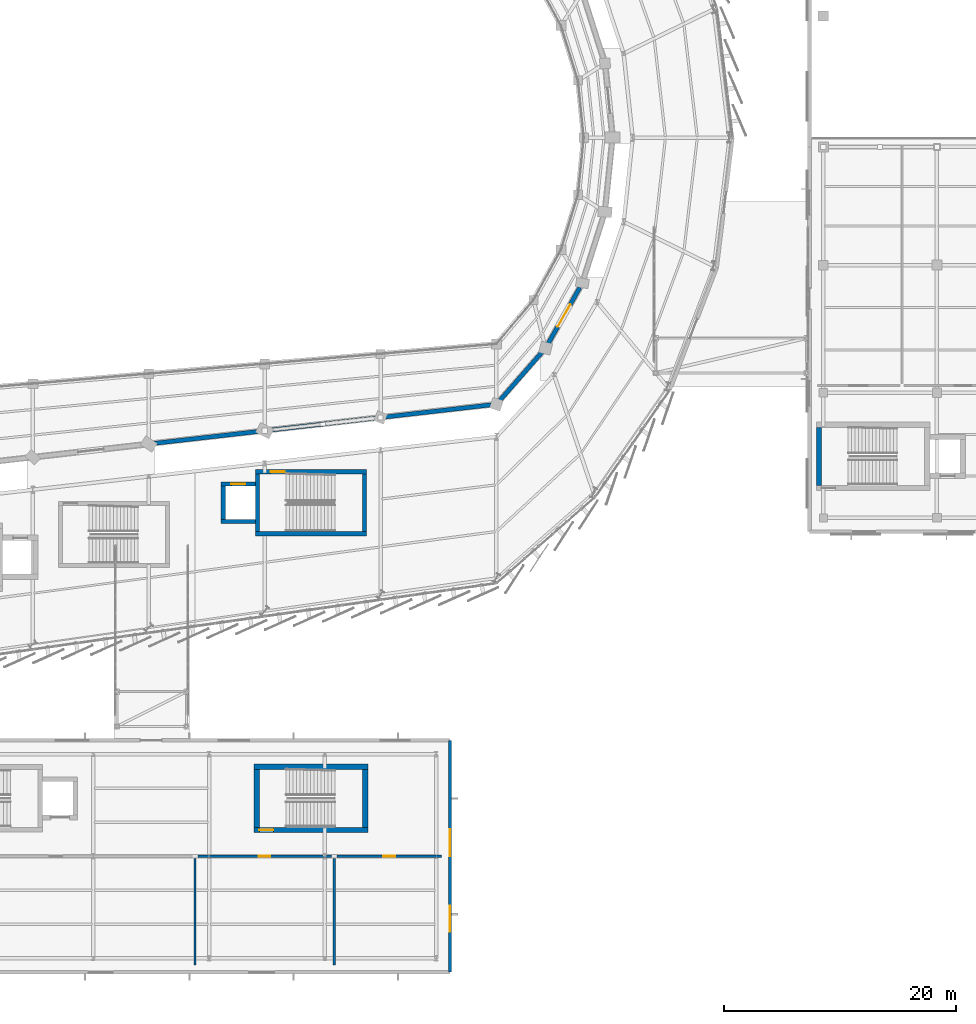
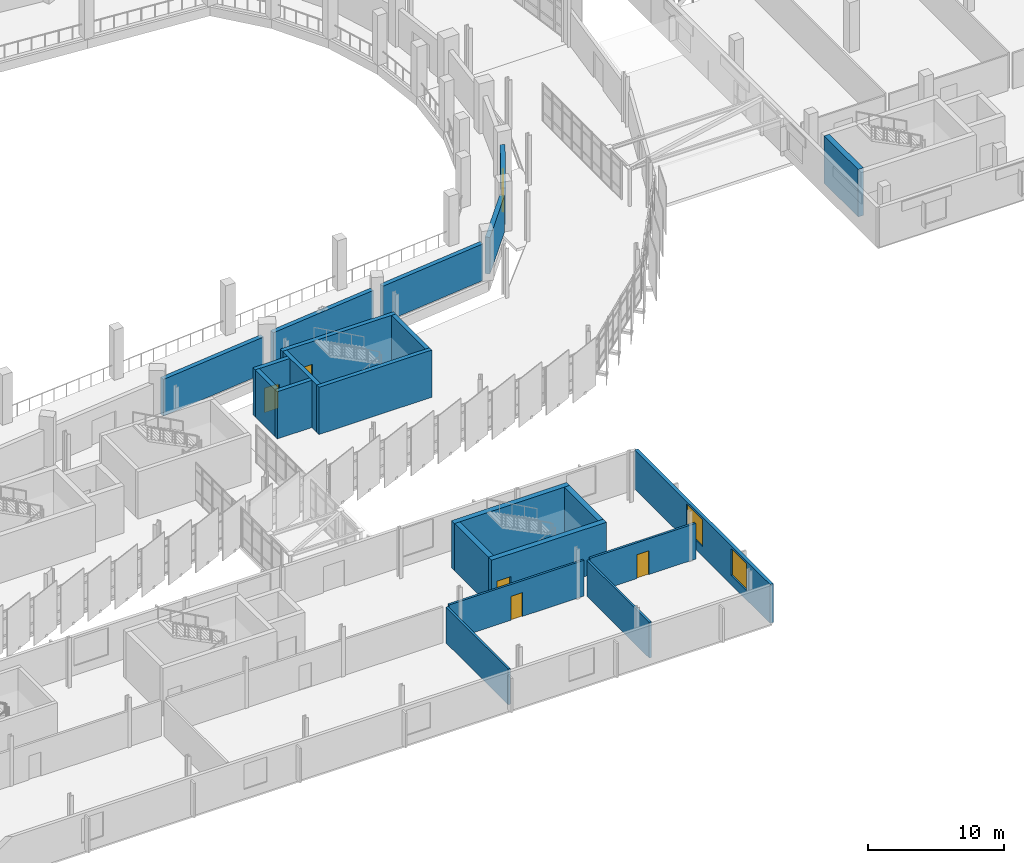
# One storey, part 107 of 125: 22 walls, 6 doors, 2 windows, 8 openings.
"""IFC4 building model written with IfcOpenShell, lengths in metres."""

from ifc_helpers import new_model, si_unit, direction, frame, frame_2d, origin, place, context, subcontext, project, spatial, rectangle, extrude, material, layer, layer_set, type_object, element, fill, save


model = new_model("IFC4")

# Units and contexts
model_context = context("Model", 3, precision=1e-05, world=origin(), true_north=direction((0.0, 1.0)))
body_context = subcontext(model_context, "Body", "Model", "MODEL_VIEW")
ifc_project = project(units=[si_unit("LENGTHUNIT", "METRE"), si_unit("AREAUNIT", "SQUARE_METRE"), si_unit("VOLUMEUNIT", "CUBIC_METRE"), si_unit("PLANEANGLEUNIT", "RADIAN"), si_unit("MASSUNIT", "GRAM", prefix="KILO")], contexts=[model_context])

# Site, building, storey
site_placement = place(None, origin())
site = spatial("IfcSite", under=ifc_project, at=site_placement, CompositionType="ELEMENT")
building_placement = place(site_placement, origin())
building = spatial("IfcBuilding", under=site, at=building_placement, Name="Sohan Crest Arena", CompositionType="ELEMENT")
storey_placement = place(building_placement, frame((0.0, 0.0, 9.0)))
storey = spatial("IfcBuildingStorey", under=building, at=storey_placement, Name="L02", CompositionType="ELEMENT", Elevation=9.0)

# Wall, openings, windows
ifc_material_1 = material(Name="Clinker brick and ceramic mosaic envelope wall", Category="masonry")
ifc_layer_1 = layer(ifc_material_1, 0.280029296875, Name="Clinker brick and ceramic mosaic envelope wall")
ifc_layer_set_1 = layer_set([ifc_layer_1], Name="Clinker brick and ceramic mosaic envelope wall")
wall_type_1 = type_object("IfcWallType", Name="WAL-EW02", PredefinedType="SOLIDWALL", material=ifc_layer_set_1)
wall_1_placement = place(storey_placement, frame((164.0, 6.0, 0.0), z_axis=(0.0, 0.0, 1.0), x_axis=(0.0, 1.0, 0.0)))
wall_1 = element("IfcWall", 1, at=wall_1_placement, inside=storey, type_object=wall_type_1, Name="External wall EW-135", PredefinedType="SOLIDWALL", context=body_context, shape_type="SweptSolid", body=[
    extrude(rectangle(XDim=20.0, YDim=0.280029296875, at=frame_2d((10.0, 0.0))), origin(), (0.0, 0.0, 1.0), 3.5),
])
opening_1_placement = place(wall_1_placement, frame((3.5, 0.0, 0.85009765625)))
opening_1 = element("IfcOpeningElement", 2, at=opening_1_placement, cuts=wall_1, Name="Opening W-057", PredefinedType="OPENING", context=body_context, shape_type="SweptSolid", body=[
    extrude(rectangle(XDim=2.25, YDim=2.39990234375, at=frame_2d((1.125, 1.199951171875))), frame((0.0, 0.14990234375, 0.0), z_axis=(0.0, -1.0, 0.0), x_axis=(1.0, 0.0, 0.0)), (0.0, 0.0, 1.0), 0.300048828125),
])
opening_2_placement = place(wall_1_placement, frame((10.0, 0.0, 0.85009765625)))
opening_2 = element("IfcOpeningElement", 3, at=opening_2_placement, cuts=wall_1, Name="Opening W-058", PredefinedType="OPENING", context=body_context, shape_type="SweptSolid", body=[
    extrude(rectangle(XDim=2.35009765625, YDim=2.449951171875, at=frame_2d((1.175048828125, 1.22509765625))), frame((0.0, 0.14990234375, 0.0), z_axis=(0.0, -1.0, 0.0), x_axis=(1.0, 0.0, 0.0)), (0.0, 0.0, 1.0), 0.300048828125),
])
ifc_material_2 = material(Name="Low-E double-glazed insulated glass", Category="glass")
window_type_1 = type_object("IfcWindowType", Name="WIN-W25", PartitioningType="SINGLE_PANEL", PredefinedType="WINDOW", material=ifc_material_2)
window_1_placement = place(opening_1_placement, origin())
window_1 = element("IfcWindow", 4, at=window_1_placement, inside=storey, type_object=window_type_1, Name="Catalan arched wing window W-057", OverallHeight=2.39990234375, OverallWidth=2.25, PartitioningType="SINGLE_PANEL", PredefinedType="WINDOW", context=body_context, shape_type="SweptSolid", body=[
    extrude(rectangle(XDim=2.25, YDim=2.39990234375, at=frame_2d((1.125, 1.199951171875))), frame((0.0, 0.030029296875, 0.0), z_axis=(0.0, -1.0, 0.0), x_axis=(1.0, 0.0, 0.0)), (0.0, 0.0, 1.0), 0.06005859375),
])
fill(opening_1, window_1)
window_type_2 = type_object("IfcWindowType", Name="WIN-W26", PartitioningType="SINGLE_PANEL", PredefinedType="WINDOW", material=ifc_material_2)
window_2_placement = place(opening_2_placement, origin())
window_2 = element("IfcWindow", 5, at=window_2_placement, inside=storey, type_object=window_type_2, Name="Catalan arched wing window W-058", OverallHeight=2.449951171875, OverallWidth=2.35009765625, PartitioningType="SINGLE_PANEL", PredefinedType="WINDOW", context=body_context, shape_type="SweptSolid", body=[
    extrude(rectangle(XDim=2.35009765625, YDim=2.449951171875, at=frame_2d((1.175048828125, 1.22509765625))), frame((0.0, 0.030029296875, 0.0), z_axis=(0.0, -1.0, 0.0), x_axis=(1.0, 0.0, 0.0)), (0.0, 0.0, 1.0), 0.06005859375),
])
fill(opening_2, window_2)

# Walls
ifc_material_3 = material(Name="Acoustic insulated bowl drum enclosure wall", Category="masonry")
ifc_layer_2 = layer(ifc_material_3, 0.3701171875, Name="Acoustic insulated bowl drum enclosure wall")
ifc_layer_set_2 = layer_set([ifc_layer_2], Name="Acoustic insulated bowl drum enclosure wall")
wall_type_2 = type_object("IfcWallType", Name="WAL-EW05", PredefinedType="SOLIDWALL", material=ifc_layer_set_2)
for number, where, z_axis, x_axis, name in (
    (6, (138.43701171875, 51.62109375, 0.0), (0.0, 0.0, 1.0), (0.993532672656, 0.113546591161, 0.0), "Acoustic bowl drum wall BW-L02-17"),
    (7, (148.43701171875, 52.763916015625, 0.0), (0.0, 0.0, 1.0), (0.993532672656, 0.113546591161, 0.0), "Acoustic bowl drum wall BW-L02-18"),
    (8, (158.43701171875, 53.906982421875, 0.0), (0.0, 0.0, 1.0), (0.993532672656, 0.113546591161, 0.0), "Acoustic bowl drum wall BW-L02-19"),
):
    element("IfcWall", number, at=place(storey_placement, frame(where, z_axis=z_axis, x_axis=x_axis)), inside=storey, type_object=wall_type_2, Name=name, PredefinedType="SOLIDWALL", context=body_context, shape_type="SweptSolid", body=[
        extrude(rectangle(XDim=9.185302734375, YDim=0.3701171875, at=frame_2d((4.5927734375, 0.0))), origin(), (0.0, 0.0, 1.0), 3.300048828125),
    ])
wall_2_placement = place(storey_placement, frame((168.2900390625, 55.3310546875, 0.0), z_axis=(0.0, 0.0, 1.0), x_axis=(0.658706624818, 0.752399881991, 0.0)))
element("IfcWall", 9, at=wall_2_placement, inside=storey, type_object=wall_type_2, Name="Acoustic bowl drum wall BW-L02-20", PredefinedType="SOLIDWALL", context=body_context, shape_type="SweptSolid", body=[
    extrude(rectangle(XDim=5.560546875, YDim=0.3701171875, at=frame_2d((2.7802734375, 0.0))), origin(), (0.0, 0.0, 1.0), 3.300048828125),
])

# Wall, opening, door
wall_3_placement = place(storey_placement, frame((172.458984375, 60.22900390625, 0.0), z_axis=(0.0, 0.0, 1.0), x_axis=(0.491617455844, 0.870811275254, 0.0)))
wall_3 = element("IfcWall", 10, at=wall_3_placement, inside=storey, type_object=wall_type_2, Name="Acoustic bowl drum wall BW-L02-21", PredefinedType="SOLIDWALL", context=body_context, shape_type="SweptSolid", body=[
    extrude(rectangle(XDim=5.5615234375, YDim=0.3701171875, at=frame_2d((2.78076171875, 0.0))), origin(), (0.0, 0.0, 1.0), 3.300048828125),
])
opening_3_placement = place(wall_3_placement, frame((1.680908203125, 0.0, 0.0)))
opening_3 = element("IfcOpeningElement", 11, at=opening_3_placement, cuts=wall_3, Name="Opening VD-L02-21", PredefinedType="OPENING", context=body_context, shape_type="SweptSolid", body=[
    extrude(rectangle(XDim=2.199951171875, YDim=2.300048828125, at=frame_2d((1.10009765625, 1.14990234375))), frame((0.0, 0.195068359375, 0.0), z_axis=(0.0, -1.0, 0.0), x_axis=(1.0, 0.0, 0.0)), (0.0, 0.0, 1.0), 0.39013671875),
])
ifc_material_4 = material(Name="Fire-rated steel double escape door", Category="steel")
door_type_1 = type_object("IfcDoorType", Name="DR-FD01", OperationType="DOUBLE_DOOR_SINGLE_SWING", PredefinedType="DOOR", material=ifc_material_4)
door_1_placement = place(opening_3_placement, origin())
door_1 = element("IfcDoor", 12, at=door_1_placement, inside=storey, type_object=door_type_1, Name="Bowl vomitory portal fire door VD-L02-21", OperationType="DOUBLE_DOOR_SINGLE_SWING", OverallHeight=2.300048828125, OverallWidth=2.199951171875, PredefinedType="DOOR", context=body_context, shape_type="SweptSolid", body=[
    extrude(rectangle(XDim=2.199951171875, YDim=2.300048828125, at=frame_2d((1.10009765625, 1.14990234375))), frame((0.0, 0.02490234375, 0.0), z_axis=(0.0, -1.0, 0.0), x_axis=(1.0, 0.0, 0.0)), (0.0, 0.0, 1.0), 0.050048828125),
])
fill(opening_3, door_1)

# Wall
ifc_material_5 = material(Name="Back-of-house masonry room partition", Category="masonry")
ifc_layer_3 = layer(ifc_material_5, 0.179931640625, Name="Back-of-house masonry room partition")
ifc_layer_set_3 = layer_set([ifc_layer_3], Name="Back-of-house masonry room partition")
wall_type_3 = type_object("IfcWallType", Name="WAL-PW05", PredefinedType="PARTITIONING", material=ifc_layer_set_3)
wall_4_placement = place(storey_placement, frame((142.0, 6.60009765625, 0.0), z_axis=(0.0, 0.0, 1.0), x_axis=(0.0, 1.0, 0.0)))
element("IfcWall", 13, at=wall_4_placement, inside=storey, type_object=wall_type_3, Name="Interior partition wall PW-0926", PredefinedType="PARTITIONING", context=body_context, shape_type="SweptSolid", body=[
    extrude(rectangle(XDim=9.199951171875, YDim=0.179931640625, at=frame_2d((4.60009765625, 0.0))), origin(), (0.0, 0.0, 1.0), 3.219970703125),
])

# Wall, opening, door
wall_5_placement = place(storey_placement, frame((142.25, 16.0, 0.0), z_axis=(0.0, 0.0, 1.0), x_axis=(1.0, 0.0, 0.0)))
wall_5 = element("IfcWall", 14, at=wall_5_placement, inside=storey, type_object=wall_type_3, Name="Interior partition wall PW-0927", PredefinedType="PARTITIONING", context=body_context, shape_type="SweptSolid", body=[
    extrude(rectangle(XDim=11.5, YDim=0.179931640625, at=frame_2d((5.75, 0.0))), origin(), (0.0, 0.0, 1.0), 3.219970703125),
])
opening_4_placement = place(wall_5_placement, frame((5.260009765625, 0.0, 0.0)))
opening_4 = element("IfcOpeningElement", 15, at=opening_4_placement, cuts=wall_5, Name="Opening V5D-0281", PredefinedType="OPENING", context=body_context, shape_type="SweptSolid", body=[
    extrude(rectangle(XDim=0.97998046875, YDim=2.14990234375, at=frame_2d((0.489990234375, 1.074951171875))), frame((0.0, 0.099853515625, 0.0), z_axis=(0.0, -1.0, 0.0), x_axis=(1.0, 0.0, 0.0)), (0.0, 0.0, 1.0), 0.199951171875),
])
ifc_material_6 = material(Name="Fire-rated plant and store room door", Category="wood")
door_type_2 = type_object("IfcDoorType", Name="DR-FD06", OperationType="NOTDEFINED", PredefinedType="DOOR", material=ifc_material_6)
door_2_placement = place(opening_4_placement, origin())
door_2 = element("IfcDoor", 16, at=door_2_placement, inside=storey, type_object=door_type_2, Name="Hospitality Linen Store door V5D-0281", OperationType="SINGLE_SWING_RIGHT", OverallHeight=2.14990234375, OverallWidth=0.97998046875, PredefinedType="DOOR", context=body_context, shape_type="SweptSolid", body=[
    extrude(rectangle(XDim=0.97998046875, YDim=2.14990234375, at=frame_2d((0.489990234375, 1.074951171875))), frame((0.0, 0.02490234375, 0.0), z_axis=(0.0, -1.0, 0.0), x_axis=(1.0, 0.0, 0.0)), (0.0, 0.0, 1.0), 0.050048828125),
])
fill(opening_4, door_2)

# Wall
wall_6_placement = place(storey_placement, frame((154.0, 6.60009765625, 0.0), z_axis=(0.0, 0.0, 1.0), x_axis=(0.0, 1.0, 0.0)))
element("IfcWall", 17, at=wall_6_placement, inside=storey, type_object=wall_type_3, Name="Interior partition wall PW-0928", PredefinedType="PARTITIONING", context=body_context, shape_type="SweptSolid", body=[
    extrude(rectangle(XDim=9.199951171875, YDim=0.179931640625, at=frame_2d((4.60009765625, 0.0))), origin(), (0.0, 0.0, 1.0), 3.219970703125),
])

# Wall, opening, door
wall_7_placement = place(storey_placement, frame((154.25, 16.0, 0.0), z_axis=(0.0, 0.0, 1.0), x_axis=(1.0, 0.0, 0.0)))
wall_7 = element("IfcWall", 18, at=wall_7_placement, inside=storey, type_object=wall_type_3, Name="Interior partition wall PW-0929", PredefinedType="PARTITIONING", context=body_context, shape_type="SweptSolid", body=[
    extrude(rectangle(XDim=9.0, YDim=0.179931640625, at=frame_2d((4.5, 0.0))), origin(), (0.0, 0.0, 1.0), 3.219970703125),
])
opening_5_placement = place(wall_7_placement, frame((3.989990234375, 0.0, 0.0)))
opening_5 = element("IfcOpeningElement", 19, at=opening_5_placement, cuts=wall_7, Name="Opening V5D-0282", PredefinedType="OPENING", context=body_context, shape_type="SweptSolid", body=[
    extrude(rectangle(XDim=1.02001953125, YDim=2.14990234375, at=frame_2d((0.510009765625, 1.074951171875))), frame((0.0, 0.099853515625, 0.0), z_axis=(0.0, -1.0, 0.0), x_axis=(1.0, 0.0, 0.0)), (0.0, 0.0, 1.0), 0.199951171875),
])
ifc_material_7 = material(Name="Accessible toilet and dressing room door", Category="wood")
door_type_3 = type_object("IfcDoorType", Name="DR-ID03", OperationType="NOTDEFINED", PredefinedType="DOOR", material=ifc_material_7)
door_3_placement = place(opening_5_placement, origin())
door_3 = element("IfcDoor", 20, at=door_3_placement, inside=storey, type_object=door_type_3, Name="BOH Accessible WC L02 door V5D-0282", OperationType="SINGLE_SWING_LEFT", OverallHeight=2.14990234375, OverallWidth=1.02001953125, PredefinedType="DOOR", context=body_context, shape_type="SweptSolid", body=[
    extrude(rectangle(XDim=1.02001953125, YDim=2.14990234375, at=frame_2d((0.510009765625, 1.074951171875))), frame((0.0, 0.02490234375, 0.0), z_axis=(0.0, -1.0, 0.0), x_axis=(1.0, 0.0, 0.0)), (0.0, 0.0, 1.0), 0.050048828125),
])
fill(opening_5, door_3)

# Walls
ifc_material_8 = material(Name="Concrete C40/50", Category="concrete")
ifc_layer_4 = layer(ifc_material_8, 0.35009765625, Name="Concrete C40/50")
ifc_layer_set_4 = layer_set([ifc_layer_4], Name="Concrete C40/50")
wall_type_4 = type_object("IfcWallType", Name="WAL-SW02", PredefinedType="SHEAR", material=ifc_layer_set_4)
for number, where, z_axis, x_axis, name in (
    (21, (147.375, 44.0, 0.0), (0.0, 0.0, 1.0), (0.0, 1.0, 0.0), "Core shear wall SW-0427"),
    (22, (156.625, 44.0, 0.0), (0.0, 0.0, 1.0), (0.0, 1.0, 0.0), "Core shear wall SW-0428"),
):
    element("IfcWall", number, at=place(storey_placement, frame(where, z_axis=z_axis, x_axis=x_axis)), inside=storey, type_object=wall_type_4, Name=name, PredefinedType="SHEAR", context=body_context, shape_type="SweptSolid", body=[
        extrude(rectangle(XDim=5.0, YDim=0.35009765625, at=frame_2d((2.5, 0.0))), origin(), (0.0, 0.0, 1.0), 4.25),
    ])
wall_8_placement = place(storey_placement, frame((147.199951171875, 43.824951171875, 0.0), z_axis=(0.0, 0.0, 1.0), x_axis=(1.0, 0.0, 0.0)))
element("IfcWall", 23, at=wall_8_placement, inside=storey, type_object=wall_type_4, Name="Core shear wall SW-0429", PredefinedType="SHEAR", context=body_context, shape_type="SweptSolid", body=[
    extrude(rectangle(XDim=9.60009765625, YDim=0.35009765625, at=frame_2d((4.800048828125, 0.0))), origin(), (0.0, 0.0, 1.0), 4.25),
])

# Wall, opening, door
wall_9_placement = place(storey_placement, frame((147.199951171875, 49.175048828125, 0.0), z_axis=(0.0, 0.0, 1.0), x_axis=(1.0, 0.0, 0.0)))
wall_9 = element("IfcWall", 24, at=wall_9_placement, inside=storey, type_object=wall_type_4, Name="Core shear wall SW-0430", PredefinedType="SHEAR", context=body_context, shape_type="SweptSolid", body=[
    extrude(rectangle(XDim=9.60009765625, YDim=0.35009765625, at=frame_2d((4.800048828125, 0.0))), origin(), (0.0, 0.0, 1.0), 4.25),
])
opening_6_placement = place(wall_9_placement, frame((1.320068359375, 0.0, 0.0)))
opening_6 = element("IfcOpeningElement", 25, at=opening_6_placement, cuts=wall_9, Name="Opening SD-0119", PredefinedType="OPENING", context=body_context, shape_type="SweptSolid", body=[
    extrude(rectangle(XDim=1.199951171875, YDim=2.199951171875, at=frame_2d((0.60009765625, 1.10009765625))), frame((0.0, 0.18505859375, 0.0), z_axis=(0.0, -1.0, 0.0), x_axis=(1.0, 0.0, 0.0)), (0.0, 0.0, 1.0), 0.3701171875),
])
ifc_material_9 = material(Name="Fire-rated steel stair and lobby door", Category="steel")
door_type_4 = type_object("IfcDoorType", Name="DR-FD04", OperationType="NOTDEFINED", PredefinedType="DOOR", material=ifc_material_9)
door_4_placement = place(opening_6_placement, origin())
door_4 = element("IfcDoor", 26, at=door_4_placement, inside=storey, type_object=door_type_4, Name="Protected stair door SD-0119", OperationType="SINGLE_SWING_LEFT", OverallHeight=2.199951171875, OverallWidth=1.199951171875, PredefinedType="DOOR", context=body_context, shape_type="SweptSolid", body=[
    extrude(rectangle(XDim=1.199951171875, YDim=2.199951171875, at=frame_2d((0.60009765625, 1.10009765625))), frame((0.0, 0.02490234375, 0.0), z_axis=(0.0, -1.0, 0.0), x_axis=(1.0, 0.0, 0.0)), (0.0, 0.0, 1.0), 0.050048828125),
])
fill(opening_6, door_4)

# Walls
wall_10_placement = place(storey_placement, frame((144.425048828125, 45.050048828125, 0.0), z_axis=(0.0, 0.0, 1.0), x_axis=(0.0, 1.0, 0.0)))
element("IfcWall", 27, at=wall_10_placement, inside=storey, type_object=wall_type_4, Name="Core shear wall SW-0431", PredefinedType="SHEAR", context=body_context, shape_type="SweptSolid", body=[
    extrude(rectangle(XDim=2.89990234375, YDim=0.35009765625, at=frame_2d((1.449951171875, 0.0))), origin(), (0.0, 0.0, 1.0), 4.25),
])
wall_11_placement = place(storey_placement, frame((144.25, 44.875, 0.0), z_axis=(0.0, 0.0, 1.0), x_axis=(1.0, 0.0, 0.0)))
element("IfcWall", 28, at=wall_11_placement, inside=storey, type_object=wall_type_4, Name="Core shear wall SW-0432", PredefinedType="SHEAR", context=body_context, shape_type="SweptSolid", body=[
    extrude(rectangle(XDim=2.949951171875, YDim=0.35009765625, at=frame_2d((1.47509765625, 0.0))), origin(), (0.0, 0.0, 1.0), 4.25),
])

# Wall, opening, door
wall_12_placement = place(storey_placement, frame((144.25, 48.125, 0.0), z_axis=(0.0, 0.0, 1.0), x_axis=(1.0, 0.0, 0.0)))
wall_12 = element("IfcWall", 29, at=wall_12_placement, inside=storey, type_object=wall_type_4, Name="Core shear wall SW-0433", PredefinedType="SHEAR", context=body_context, shape_type="SweptSolid", body=[
    extrude(rectangle(XDim=2.949951171875, YDim=0.35009765625, at=frame_2d((1.47509765625, 0.0))), origin(), (0.0, 0.0, 1.0), 4.25),
])
opening_7_placement = place(wall_12_placement, frame((0.875, 0.0, 0.0)))
opening_7 = element("IfcOpeningElement", 30, at=opening_7_placement, cuts=wall_12, Name="Opening LD-LP07-L02", PredefinedType="OPENING", context=body_context, shape_type="SweptSolid", body=[
    extrude(rectangle(XDim=1.199951171875, YDim=2.199951171875, at=frame_2d((0.60009765625, 1.10009765625))), frame((0.0, 0.18505859375, 0.0), z_axis=(0.0, -1.0, 0.0), x_axis=(1.0, 0.0, 0.0)), (0.0, 0.0, 1.0), 0.3701171875),
])
ifc_material_10 = material(Name="Stainless steel passenger lift landing door", Category="steel")
door_type_5 = type_object("IfcDoorType", Name="DR-LD02", OperationType="SLIDING_TO_LEFT", PredefinedType="DOOR", material=ifc_material_10)
door_5_placement = place(opening_7_placement, origin())
door_5 = element("IfcDoor", 31, at=door_5_placement, inside=storey, type_object=door_type_5, Name="Sliding lift landing door LD-LP07-L02", OperationType="SLIDING_TO_LEFT", OverallHeight=2.199951171875, OverallWidth=1.199951171875, PredefinedType="DOOR", context=body_context, shape_type="SweptSolid", body=[
    extrude(rectangle(XDim=1.199951171875, YDim=2.199951171875, at=frame_2d((0.60009765625, 1.10009765625))), frame((0.0, 0.02490234375, 0.0), z_axis=(0.0, -1.0, 0.0), x_axis=(1.0, 0.0, 0.0)), (0.0, 0.0, 1.0), 0.050048828125),
])
fill(opening_7, door_5)

# Walls
ifc_layer_5 = layer(ifc_material_8, 0.449951171875, Name="Concrete C40/50")
ifc_layer_set_5 = layer_set([ifc_layer_5], Name="Concrete C40/50")
wall_type_5 = type_object("IfcWallType", Name="WAL-SW04", PredefinedType="SHEAR", material=ifc_layer_set_5)
for number, where, z_axis, x_axis, name in (
    (32, (147.324951171875, 18.5, 0.0), (0.0, 0.0, 1.0), (0.0, 1.0, 0.0), "Core shear wall SW-0499"),
    (33, (156.675048828125, 18.5, 0.0), (0.0, 0.0, 1.0), (0.0, 1.0, 0.0), "Core shear wall SW-0500"),
):
    element("IfcWall", number, at=place(storey_placement, frame(where, z_axis=z_axis, x_axis=x_axis)), inside=storey, type_object=wall_type_5, Name=name, PredefinedType="SHEAR", context=body_context, shape_type="SweptSolid", body=[
        extrude(rectangle(XDim=5.0, YDim=0.449951171875, at=frame_2d((2.5, 0.0))), origin(), (0.0, 0.0, 1.0), 4.25),
    ])

# Wall, opening, door
wall_13_placement = place(storey_placement, frame((147.10009765625, 18.27490234375, 0.0), z_axis=(0.0, 0.0, 1.0), x_axis=(1.0, 0.0, 0.0)))
wall_13 = element("IfcWall", 34, at=wall_13_placement, inside=storey, type_object=wall_type_5, Name="Core shear wall SW-0501", PredefinedType="SHEAR", context=body_context, shape_type="SweptSolid", body=[
    extrude(rectangle(XDim=9.7998046875, YDim=0.449951171875, at=frame_2d((4.89990234375, 0.0))), origin(), (0.0, 0.0, 1.0), 4.25),
])
opening_8_placement = place(wall_13_placement, frame((0.449951171875, 0.0, 0.0)))
opening_8 = element("IfcOpeningElement", 35, at=opening_8_placement, cuts=wall_13, Name="Opening SD-0138", PredefinedType="OPENING", context=body_context, shape_type="SweptSolid", body=[
    extrude(rectangle(XDim=1.199951171875, YDim=2.199951171875, at=frame_2d((0.60009765625, 1.10009765625))), frame((0.0, 0.23486328125, 0.0), z_axis=(0.0, -1.0, 0.0), x_axis=(1.0, 0.0, 0.0)), (0.0, 0.0, 1.0), 0.469970703125),
])
door_6_placement = place(opening_8_placement, frame((1.199951171875, 0.0, 0.0), z_axis=(0.0, 0.0, 1.0), x_axis=(-1.0, 0.0, 0.0)))
door_6 = element("IfcDoor", 36, at=door_6_placement, inside=storey, type_object=door_type_4, Name="Protected stair door SD-0138", OperationType="SINGLE_SWING_RIGHT", OverallHeight=2.199951171875, OverallWidth=1.199951171875, PredefinedType="DOOR", context=body_context, shape_type="SweptSolid", body=[
    extrude(rectangle(XDim=1.199951171875, YDim=2.199951171875, at=frame_2d((0.60009765625, 1.10009765625))), frame((0.0, 0.02490234375, 0.0), z_axis=(0.0, -1.0, 0.0), x_axis=(1.0, 0.0, 0.0)), (0.0, 0.0, 1.0), 0.050048828125),
])
fill(opening_8, door_6)

# Walls
wall_14_placement = place(storey_placement, frame((147.10009765625, 23.72509765625, 0.0), z_axis=(0.0, 0.0, 1.0), x_axis=(1.0, 0.0, 0.0)))
element("IfcWall", 37, at=wall_14_placement, inside=storey, type_object=wall_type_5, Name="Core shear wall SW-0502", PredefinedType="SHEAR", context=body_context, shape_type="SweptSolid", body=[
    extrude(rectangle(XDim=9.7998046875, YDim=0.449951171875, at=frame_2d((4.89990234375, 0.0))), origin(), (0.0, 0.0, 1.0), 4.25),
])
wall_15_placement = place(storey_placement, frame((195.824951171875, 48.0, 0.0), z_axis=(0.0, 0.0, 1.0), x_axis=(0.0, 1.0, 0.0)))
element("IfcWall", 38, at=wall_15_placement, inside=storey, type_object=wall_type_5, Name="Core shear wall SW-0603", PredefinedType="SHEAR", context=body_context, shape_type="SweptSolid", body=[
    extrude(rectangle(XDim=5.0, YDim=0.449951171875, at=frame_2d((2.5, 0.0))), origin(), (0.0, 0.0, 1.0), 4.27001953125),
])

save(model, "model.ifc")
